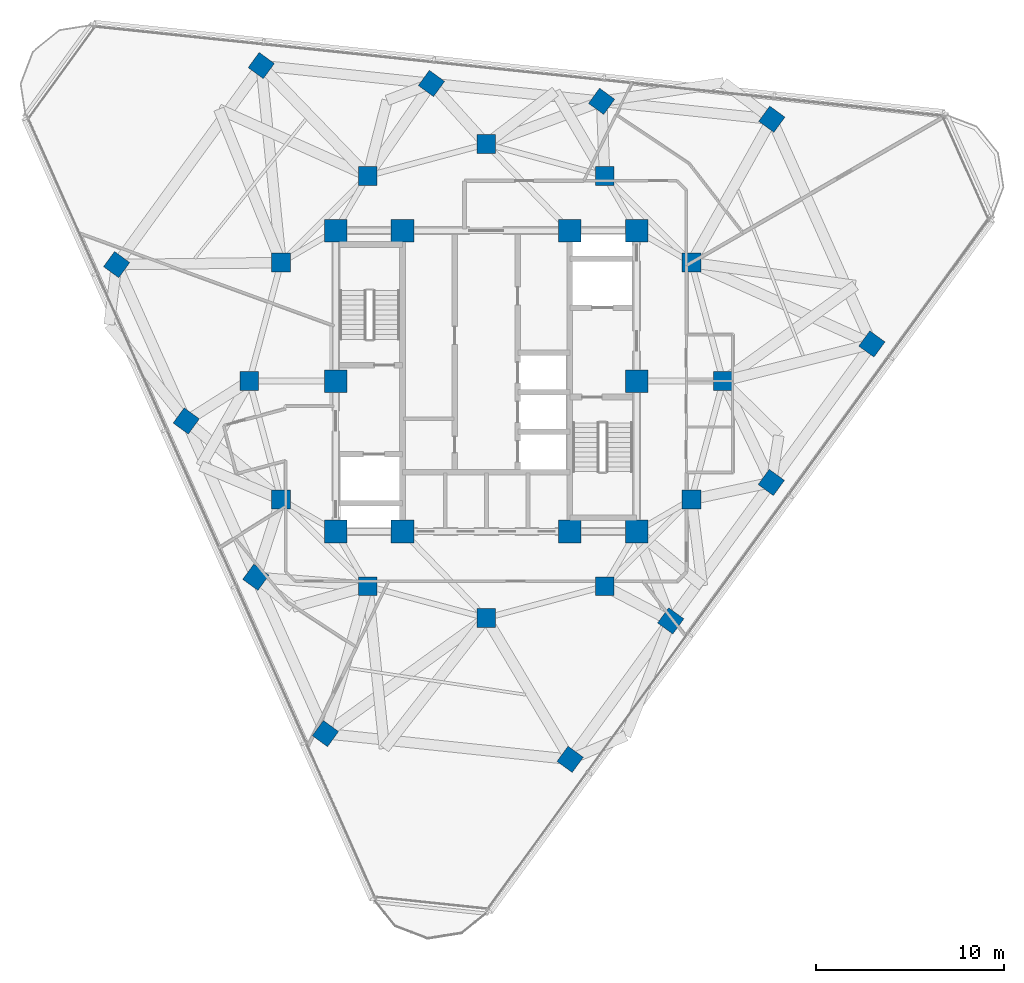
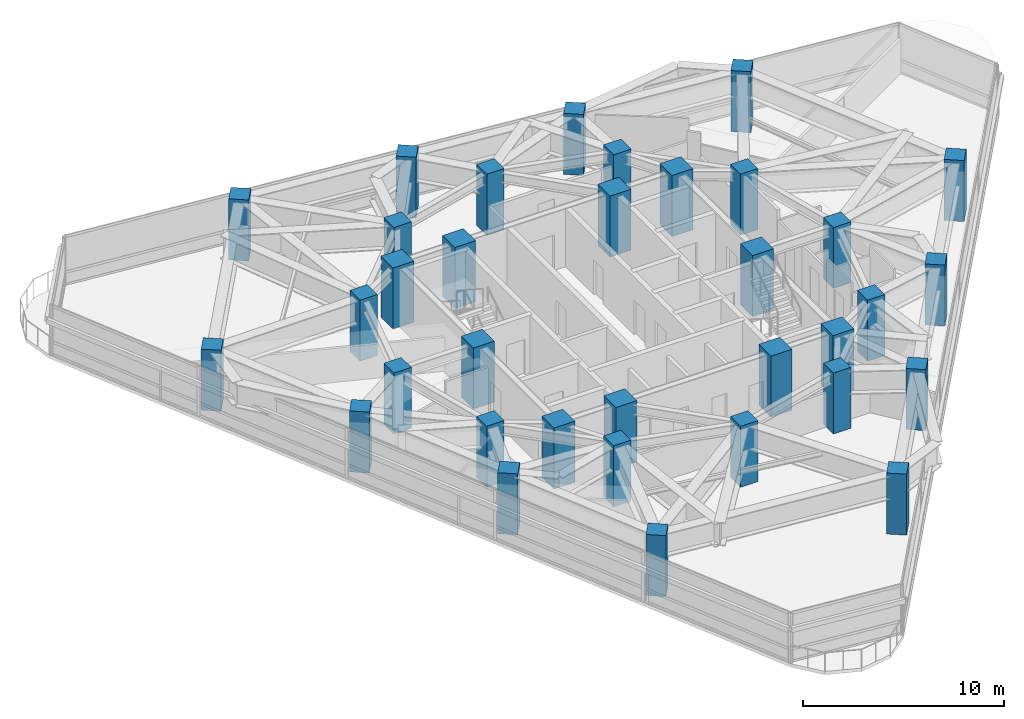
# One storey, part 1 of 14: 34 columns.
"""IFC4 building model written with IfcOpenShell, lengths in metres."""

from ifc_helpers import new_model, si_unit, direction, frame, origin, origin_2d, place, context, subcontext, project, spatial, rectangle, extrude, material, material_profile, profile_set, type_object, element, save


model = new_model("IFC4")

# Units and contexts
model_context = context("Model", 3, precision=1e-05, world=origin(), true_north=direction((0.0, 1.0)))
body_context = subcontext(model_context, "Body", "Model", "MODEL_VIEW")
ifc_project = project(units=[si_unit("LENGTHUNIT", "METRE"), si_unit("AREAUNIT", "SQUARE_METRE"), si_unit("VOLUMEUNIT", "CUBIC_METRE"), si_unit("PLANEANGLEUNIT", "RADIAN"), si_unit("MASSUNIT", "GRAM", prefix="KILO")], contexts=[model_context])

# Site, building, storey
site_placement = place(None, origin())
site = spatial("IfcSite", under=ifc_project, at=site_placement, CompositionType="ELEMENT")
building_placement = place(site_placement, origin())
building = spatial("IfcBuilding", under=site, at=building_placement, Name="Terralouvre Media Tower", CompositionType="ELEMENT")
storey_placement = place(building_placement, frame((0.0, 0.0, 244.800048828125)))
storey = spatial("IfcBuildingStorey", under=building, at=storey_placement, Name="L63", CompositionType="ELEMENT", Elevation=244.800048828125)

# Columns
ifc_material_1 = material(Name="Concrete C50/60", Category="concrete")
ifc_material_profile_1 = material_profile(ifc_material_1, rectangle(XDim=1.0, YDim=1.0, at=origin_2d()), Name="RC 1000x1000")
ifc_profile_set_1 = profile_set([ifc_material_profile_1], Name="Concrete C50/60")
column_type_1 = type_object("IfcColumnType", Name="Structural Column C-RC1000 (RC 1000x1000)", PredefinedType="COLUMN", material=ifc_profile_set_1)
for number, where, z_axis, x_axis, name in (
    (1, (12.60009765625, 0.0, 0.0), (0.0, 0.0, 1.0), (1.0, 0.0, 0.0), "L63 Mega-Frame Column MC01"),
    (2, (10.911865234375, 6.300048828125, 0.0), (0.0, 0.0, 1.0), (1.0, 0.0, 0.0), "L63 Mega-Frame Column MC02"),
    (3, (6.300048828125, 10.911865234375, 0.0), (0.0, 0.0, 1.0), (1.0, 0.0, 0.0), "L63 Mega-Frame Column MC03"),
    (4, (0.0, 12.60009765625, 0.0), (0.0, 0.0, 1.0), (1.0, 0.0, 0.0), "L63 Mega-Frame Column MC04"),
    (5, (-6.300048828125, 10.911865234375, 0.0), (0.0, 0.0, 1.0), (1.0, 0.0, 0.0), "L63 Mega-Frame Column MC05"),
    (6, (-10.911865234375, 6.300048828125, 0.0), (0.0, 0.0, 1.0), (1.0, 0.0, 0.0), "L63 Mega-Frame Column MC06"),
    (7, (-12.60009765625, 0.0, 0.0), (0.0, 0.0, 1.0), (1.0, 0.0, 0.0), "L63 Mega-Frame Column MC07"),
    (8, (-10.911865234375, -6.300048828125, 0.0), (0.0, 0.0, 1.0), (1.0, 0.0, 0.0), "L63 Mega-Frame Column MC08"),
    (9, (-6.300048828125, -10.911865234375, 0.0), (0.0, 0.0, 1.0), (1.0, 0.0, 0.0), "L63 Mega-Frame Column MC09"),
    (10, (0.0, -12.60009765625, 0.0), (0.0, 0.0, 1.0), (1.0, 0.0, 0.0), "L63 Mega-Frame Column MC10"),
    (11, (6.300048828125, -10.911865234375, 0.0), (0.0, 0.0, 1.0), (1.0, 0.0, 0.0), "L63 Mega-Frame Column MC11"),
    (12, (10.911865234375, -6.300048828125, 0.0), (0.0, 0.0, 1.0), (1.0, 0.0, 0.0), "L63 Mega-Frame Column MC12"),
    (13, (4.463623046875, -20.115478515625, 0.0), (0.0, 0.0, 1.0), (0.587785252292, 0.809016994375, 0.0), "L63 Perimeter Mega-Column PC11"),
    (14, (9.8125, -12.75341796875, 0.0), (0.0, 0.0, 1.0), (0.587785252292, 0.809016994375, 0.0), "L63 Perimeter Mega-Column PC12"),
    (15, (15.161376953125, -5.391357421875, 0.0), (0.0, 0.0, 1.0), (0.587785252292, 0.809016994375, 0.0), "L63 Perimeter Mega-Column PC13"),
    (16, (20.51025390625, 1.970703125, 0.0), (0.0, 0.0, 1.0), (0.587785252292, 0.809016994375, 0.0), "L63 Perimeter Mega-Column PC14"),
    (17, (15.1884765625, 13.92333984375, 0.0), (0.0, 0.0, 1.0), (0.587785252292, 0.809016994375, 0.0), "L63 Perimeter Mega-Column PC21"),
    (18, (6.138427734375, 14.87451171875, 0.0), (0.0, 0.0, 1.0), (0.587785252292, 0.809016994375, 0.0), "L63 Perimeter Mega-Column PC22"),
    (19, (-2.91162109375, 15.82568359375, 0.0), (0.0, 0.0, 1.0), (0.587785252292, 0.809016994375, 0.0), "L63 Perimeter Mega-Column PC23"),
    (20, (-11.9619140625, 16.77685546875, 0.0), (0.0, 0.0, 1.0), (0.587785252292, 0.809016994375, 0.0), "L63 Perimeter Mega-Column PC24"),
    (21, (-19.65234375, 6.192138671875, 0.0), (0.0, 0.0, 1.0), (0.587785252292, 0.809016994375, 0.0), "L63 Perimeter Mega-Column PC31"),
    (22, (-15.950927734375, -2.121337890625, 0.0), (0.0, 0.0, 1.0), (0.587785252292, 0.809016994375, 0.0), "L63 Perimeter Mega-Column PC32"),
    (23, (-12.249755859375, -10.4345703125, 0.0), (0.0, 0.0, 1.0), (0.587785252292, 0.809016994375, 0.0), "L63 Perimeter Mega-Column PC33"),
    (24, (-8.54833984375, -18.747802734375, 0.0), (0.0, 0.0, 1.0), (0.587785252292, 0.809016994375, 0.0), "L63 Perimeter Mega-Column PC34"),
):
    element("IfcColumn", number, at=place(storey_placement, frame(where, z_axis=z_axis, x_axis=x_axis)), inside=storey, type_object=column_type_1, Name=name, PredefinedType="COLUMN", context=body_context, shape_type="SweptSolid", body=[
        extrude(rectangle(XDim=1.0, YDim=1.0, at=origin_2d()), origin(), (0.0, 0.0, 1.0), 3.699951171875),
    ])
ifc_material_2 = material(Name="Concrete C60/75", Category="concrete")
ifc_material_profile_2 = material_profile(ifc_material_2, rectangle(XDim=1.199951171875, YDim=1.199951171875, at=origin_2d()), Name="RC 1200x1200")
ifc_profile_set_2 = profile_set([ifc_material_profile_2], Name="Concrete C60/75")
column_type_2 = type_object("IfcColumnType", Name="Structural Column C-RC1200 (RC 1200x1200)", PredefinedType="COLUMN", material=ifc_profile_set_2)
for number, where, z_axis, x_axis, name in (
    (25, (-8.0, -8.0, 0.0), (0.0, 0.0, 1.0), (1.0, 0.0, 0.0), "L63 Core Pilaster Column CP1"),
    (26, (-4.449951171875, -8.0, 0.0), (0.0, 0.0, 1.0), (1.0, 0.0, 0.0), "L63 Core Pilaster Column CP2"),
    (27, (4.449951171875, -8.0, 0.0), (0.0, 0.0, 1.0), (1.0, 0.0, 0.0), "L63 Core Pilaster Column CP10"),
    (28, (8.0, -8.0, 0.0), (0.0, 0.0, 1.0), (1.0, 0.0, 0.0), "L63 Core Pilaster Column CP3"),
    (29, (8.0, 0.0, 0.0), (0.0, 0.0, 1.0), (1.0, 0.0, 0.0), "L63 Core Pilaster Column CP4"),
    (30, (8.0, 8.0, 0.0), (0.0, 0.0, 1.0), (1.0, 0.0, 0.0), "L63 Core Pilaster Column CP5"),
    (31, (4.449951171875, 8.0, 0.0), (0.0, 0.0, 1.0), (1.0, 0.0, 0.0), "L63 Core Pilaster Column CP9"),
    (32, (-4.449951171875, 8.0, 0.0), (0.0, 0.0, 1.0), (1.0, 0.0, 0.0), "L63 Core Pilaster Column CP6"),
    (33, (-8.0, 8.0, 0.0), (0.0, 0.0, 1.0), (1.0, 0.0, 0.0), "L63 Core Pilaster Column CP7"),
    (34, (-8.0, 0.0, 0.0), (0.0, 0.0, 1.0), (1.0, 0.0, 0.0), "L63 Core Pilaster Column CP8"),
):
    element("IfcColumn", number, at=place(storey_placement, frame(where, z_axis=z_axis, x_axis=x_axis)), inside=storey, type_object=column_type_2, Name=name, PredefinedType="COLUMN", context=body_context, shape_type="SweptSolid", body=[
        extrude(rectangle(XDim=1.199951171875, YDim=1.199951171875, at=origin_2d()), origin(), (0.0, 0.0, 1.0), 3.699951171875),
    ])

save(model, "model.ifc")
